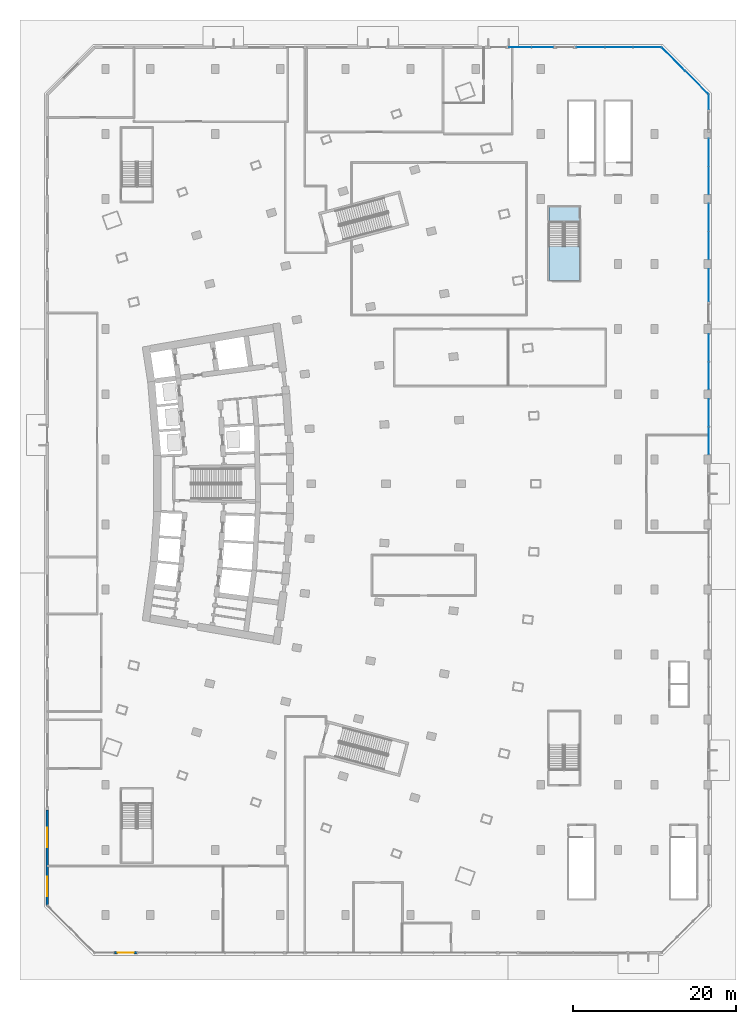
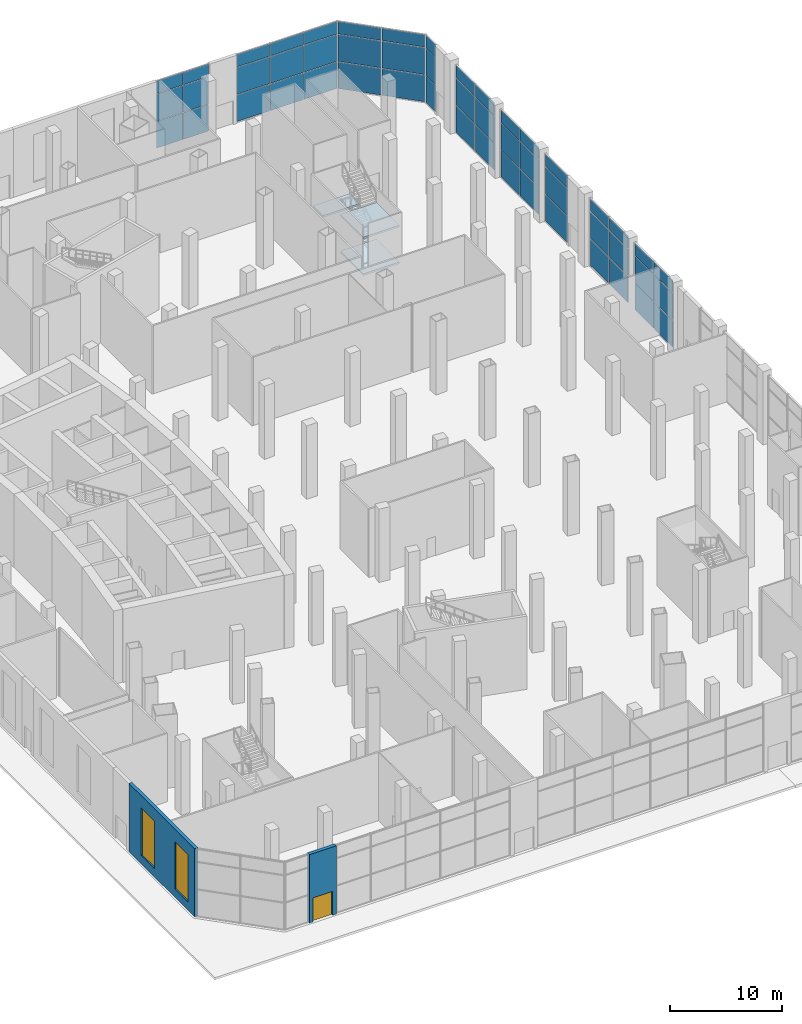
# One storey, part 11 of 33: 51 plates, 3 slabs, 2 walls, 2 windows, 1 door, 3 openings, 10 elements without a shape of their own.
"""IFC4 building model written with IfcOpenShell, lengths in metres."""

from ifc_helpers import new_model, si_unit, direction, frame, frame_2d, origin, origin_2d, place, context, subcontext, project, spatial, polyline, rectangle, outline, extrude, material, layer, layer_set, type_object, element, fill, aggregate, save


model = new_model("IFC4")

# Units and contexts
model_context = context("Model", 3, precision=1e-05, world=origin(), true_north=direction((0.0, 1.0)))
body_context = subcontext(model_context, "Body", "Model", "MODEL_VIEW")
ifc_project = project(units=[si_unit("LENGTHUNIT", "METRE"), si_unit("AREAUNIT", "SQUARE_METRE"), si_unit("VOLUMEUNIT", "CUBIC_METRE"), si_unit("PLANEANGLEUNIT", "RADIAN"), si_unit("MASSUNIT", "GRAM", prefix="KILO")], contexts=[model_context])

# Site, building, storey
site_placement = place(None, origin())
site = spatial("IfcSite", under=ifc_project, at=site_placement, CompositionType="ELEMENT")
building_placement = place(site_placement, origin())
building = spatial("IfcBuilding", under=site, at=building_placement, Name="Alderwake Tower", CompositionType="ELEMENT")
storey_placement = place(building_placement, origin())
storey = spatial("IfcBuildingStorey", under=building, at=storey_placement, Name="L00", CompositionType="ELEMENT", Elevation=0.0)

# Stair, slabs
ifc_material_1 = material(Name="Concrete C40/50", Category="concrete")
stair_type = type_object("IfcStairType", Name="Exit stair 1800 half-turn", PredefinedType="HALF_TURN_STAIR", material=ifc_material_1)
stair_placement = place(storey_placement, origin())
stair = element("IfcStair", 1, at=stair_placement, inside=storey, type_object=stair_type, Name="L00 Podium stair P3", PredefinedType="HALF_TURN_STAIR")
ifc_material_2 = material(Name="Concrete C40/50", Category="concrete")
ifc_layer_1 = layer(ifc_material_2, 0.199951171875)
ifc_layer_set_1 = layer_set([ifc_layer_1], Name="Core stair landing 200")
slab_type = type_object("IfcSlabType", Name="Core stair landing 200", PredefinedType="LANDING", material=ifc_layer_set_1)
slab_1_placement = place(storey_placement, frame((0.0, 0.0, 1.800048828125)))
slab_1 = element("IfcSlab", 2, at=slab_1_placement, type_object=slab_type, Name="ST-P3 landing 1", PredefinedType="LANDING", context=body_context, shape_type="SweptSolid", body=[
    extrude(outline(polyline([(65.0, 90.1298828125), (65.0, 86.0), (68.75, 86.0), (68.75, 90.1298828125), (65.0, 90.1298828125)])), origin(), (0.0, 0.0, 1.0), 0.199951171875),
])
slab_2_placement = place(storey_placement, frame((0.0, 0.0, 3.800048828125)))
slab_2 = element("IfcSlab", 3, at=slab_2_placement, type_object=slab_type, Name="ST-P3 landing 2", PredefinedType="LANDING", context=body_context, shape_type="SweptSolid", body=[
    extrude(outline(polyline([(65.0, 95.0), (65.0, 93.18994140625), (68.75, 93.18994140625), (68.75, 95.0), (65.0, 95.0)])), origin(), (0.0, 0.0, 1.0), 0.199951171875),
])
slab_3_placement = place(storey_placement, frame((0.0, 0.0, 5.800048828125)))
slab_3 = element("IfcSlab", 4, at=slab_3_placement, type_object=slab_type, Name="ST-P3 landing 3", PredefinedType="LANDING", context=body_context, shape_type="SweptSolid", body=[
    extrude(outline(polyline([(65.0, 90.1298828125), (65.0, 86.0), (68.75, 86.0), (68.75, 90.1298828125), (65.0, 90.1298828125)])), origin(), (0.0, 0.0, 1.0), 0.199951171875),
])
aggregate(stair, [slab_1, slab_2, slab_3])

# Curtain wall, plates
ifc_material_3 = material(Name="Bronze tinted glass in aluminium frame", Category="aluminium")
ifc_layer_2 = layer(ifc_material_3, 0.25)
ifc_layer_set_2 = layer_set([ifc_layer_2], Name="Curtain wall CW1 podium shopfront")
curtain_wall_type_1 = type_object("IfcCurtainWallType", Name="Curtain wall CW1 podium shopfront", PredefinedType="NOTDEFINED", material=ifc_layer_set_2)
curtain_wall_1_placement = place(storey_placement, origin())
curtain_wall_1 = element("IfcCurtainWall", 5, at=curtain_wall_1_placement, inside=storey, type_object=curtain_wall_type_1, Name="Curtain wall 15", PredefinedType="NOTDEFINED")
ifc_material_4 = material(Name="Bronze tinted glass in aluminium frame", Category="aluminium")
ifc_layer_3 = layer(ifc_material_4, 0.028076171875)
ifc_layer_set_3 = layer_set([ifc_layer_3], Name="Glass panel GPA 28")
plate_type_1 = type_object("IfcPlateType", Name="Glass panel GPA 28", PredefinedType="CURTAIN_PANEL", material=ifc_layer_set_3)
plate_1_placement = place(storey_placement, frame((84.64990234375, 85.425048828125, 0.06005859375), z_axis=(0.0, 0.0, 1.0), x_axis=(0.0, 1.0, 0.0)))
plate_1 = element("IfcPlate", 6, at=plate_1_placement, type_object=plate_type_1, Name="CW.15 panel 1.1", PredefinedType="CURTAIN_PANEL", context=body_context, shape_type="SweptSolid", body=[
    extrude(rectangle(XDim=3.929931640625, YDim=0.028076171875, at=origin_2d()), origin(), (0.0, 0.0, 1.0), 2.909912109375),
])
plate_2_placement = place(storey_placement, frame((84.64990234375, 85.425048828125, 3.030029296875), z_axis=(0.0, 0.0, 1.0), x_axis=(0.0, 1.0, 0.0)))
plate_2 = element("IfcPlate", 7, at=plate_2_placement, type_object=plate_type_1, Name="CW.15 panel 1.2", PredefinedType="CURTAIN_PANEL", context=body_context, shape_type="SweptSolid", body=[
    extrude(rectangle(XDim=3.929931640625, YDim=0.028076171875, at=origin_2d()), origin(), (0.0, 0.0, 1.0), 2.93994140625),
])
plate_3_placement = place(storey_placement, frame((84.64990234375, 85.425048828125, 6.02978515625), z_axis=(0.0, 0.0, 1.0), x_axis=(0.0, 1.0, 0.0)))
plate_3 = element("IfcPlate", 8, at=plate_3_placement, type_object=plate_type_1, Name="CW.15 panel 1.3", PredefinedType="CURTAIN_PANEL", context=body_context, shape_type="SweptSolid", body=[
    extrude(rectangle(XDim=3.929931640625, YDim=0.028076171875, at=origin_2d()), origin(), (0.0, 0.0, 1.0), 1.360107421875),
])
aggregate(curtain_wall_1, [plate_1, plate_2, plate_3])

curtain_wall_2_placement = place(storey_placement, origin())
curtain_wall_2 = element("IfcCurtainWall", 9, at=curtain_wall_2_placement, inside=storey, type_object=curtain_wall_type_1, Name="Curtain wall 16", PredefinedType="NOTDEFINED")
plate_4_placement = place(storey_placement, frame((84.64990234375, 90.2900390625, 0.06005859375), z_axis=(0.0, 0.0, 1.0), x_axis=(0.0, 1.0, 0.0)))
plate_4 = element("IfcPlate", 10, at=plate_4_placement, type_object=plate_type_1, Name="CW.16 panel 1.1", PredefinedType="CURTAIN_PANEL", context=body_context, shape_type="SweptSolid", body=[
    extrude(rectangle(XDim=3.360107421875, YDim=0.028076171875, at=origin_2d()), origin(), (0.0, 0.0, 1.0), 2.909912109375),
])
plate_5_placement = place(storey_placement, frame((84.64990234375, 90.2900390625, 3.030029296875), z_axis=(0.0, 0.0, 1.0), x_axis=(0.0, 1.0, 0.0)))
plate_5 = element("IfcPlate", 11, at=plate_5_placement, type_object=plate_type_1, Name="CW.16 panel 1.2", PredefinedType="CURTAIN_PANEL", context=body_context, shape_type="SweptSolid", body=[
    extrude(rectangle(XDim=3.360107421875, YDim=0.028076171875, at=origin_2d()), origin(), (0.0, 0.0, 1.0), 2.93994140625),
])
plate_6_placement = place(storey_placement, frame((84.64990234375, 90.2900390625, 6.02978515625), z_axis=(0.0, 0.0, 1.0), x_axis=(0.0, 1.0, 0.0)))
plate_6 = element("IfcPlate", 12, at=plate_6_placement, type_object=plate_type_1, Name="CW.16 panel 1.3", PredefinedType="CURTAIN_PANEL", context=body_context, shape_type="SweptSolid", body=[
    extrude(rectangle(XDim=3.360107421875, YDim=0.028076171875, at=origin_2d()), origin(), (0.0, 0.0, 1.0), 1.360107421875),
])
plate_7_placement = place(storey_placement, frame((84.64990234375, 93.7099609375, 0.06005859375), z_axis=(0.0, 0.0, 1.0), x_axis=(0.0, 1.0, 0.0)))
plate_7 = element("IfcPlate", 13, at=plate_7_placement, type_object=plate_type_1, Name="CW.16 panel 2.1", PredefinedType="CURTAIN_PANEL", context=body_context, shape_type="SweptSolid", body=[
    extrude(rectangle(XDim=3.360107421875, YDim=0.028076171875, at=origin_2d()), origin(), (0.0, 0.0, 1.0), 2.909912109375),
])
plate_8_placement = place(storey_placement, frame((84.64990234375, 93.7099609375, 3.030029296875), z_axis=(0.0, 0.0, 1.0), x_axis=(0.0, 1.0, 0.0)))
plate_8 = element("IfcPlate", 14, at=plate_8_placement, type_object=plate_type_1, Name="CW.16 panel 2.2", PredefinedType="CURTAIN_PANEL", context=body_context, shape_type="SweptSolid", body=[
    extrude(rectangle(XDim=3.360107421875, YDim=0.028076171875, at=origin_2d()), origin(), (0.0, 0.0, 1.0), 2.93994140625),
])
plate_9_placement = place(storey_placement, frame((84.64990234375, 93.7099609375, 6.02978515625), z_axis=(0.0, 0.0, 1.0), x_axis=(0.0, 1.0, 0.0)))
plate_9 = element("IfcPlate", 15, at=plate_9_placement, type_object=plate_type_1, Name="CW.16 panel 2.3", PredefinedType="CURTAIN_PANEL", context=body_context, shape_type="SweptSolid", body=[
    extrude(rectangle(XDim=3.360107421875, YDim=0.028076171875, at=origin_2d()), origin(), (0.0, 0.0, 1.0), 1.360107421875),
])
aggregate(curtain_wall_2, [plate_4, plate_5, plate_6, plate_7, plate_8, plate_9])

curtain_wall_3_placement = place(storey_placement, origin())
curtain_wall_3 = element("IfcCurtainWall", 16, at=curtain_wall_3_placement, inside=storey, type_object=curtain_wall_type_1, Name="Curtain wall 17", PredefinedType="NOTDEFINED")
plate_10_placement = place(storey_placement, frame((84.64990234375, 98.2900390625, 0.06005859375), z_axis=(0.0, 0.0, 1.0), x_axis=(0.0, 1.0, 0.0)))
plate_10 = element("IfcPlate", 17, at=plate_10_placement, type_object=plate_type_1, Name="CW.17 panel 1.1", PredefinedType="CURTAIN_PANEL", context=body_context, shape_type="SweptSolid", body=[
    extrude(rectangle(XDim=3.360107421875, YDim=0.028076171875, at=origin_2d()), origin(), (0.0, 0.0, 1.0), 2.909912109375),
])
plate_11_placement = place(storey_placement, frame((84.64990234375, 98.2900390625, 3.030029296875), z_axis=(0.0, 0.0, 1.0), x_axis=(0.0, 1.0, 0.0)))
plate_11 = element("IfcPlate", 18, at=plate_11_placement, type_object=plate_type_1, Name="CW.17 panel 1.2", PredefinedType="CURTAIN_PANEL", context=body_context, shape_type="SweptSolid", body=[
    extrude(rectangle(XDim=3.360107421875, YDim=0.028076171875, at=origin_2d()), origin(), (0.0, 0.0, 1.0), 2.93994140625),
])
plate_12_placement = place(storey_placement, frame((84.64990234375, 98.2900390625, 6.02978515625), z_axis=(0.0, 0.0, 1.0), x_axis=(0.0, 1.0, 0.0)))
plate_12 = element("IfcPlate", 19, at=plate_12_placement, type_object=plate_type_1, Name="CW.17 panel 1.3", PredefinedType="CURTAIN_PANEL", context=body_context, shape_type="SweptSolid", body=[
    extrude(rectangle(XDim=3.360107421875, YDim=0.028076171875, at=origin_2d()), origin(), (0.0, 0.0, 1.0), 1.360107421875),
])
plate_13_placement = place(storey_placement, frame((84.64990234375, 101.7099609375, 0.06005859375), z_axis=(0.0, 0.0, 1.0), x_axis=(0.0, 1.0, 0.0)))
plate_13 = element("IfcPlate", 20, at=plate_13_placement, type_object=plate_type_1, Name="CW.17 panel 2.1", PredefinedType="CURTAIN_PANEL", context=body_context, shape_type="SweptSolid", body=[
    extrude(rectangle(XDim=3.360107421875, YDim=0.028076171875, at=origin_2d()), origin(), (0.0, 0.0, 1.0), 2.909912109375),
])
plate_14_placement = place(storey_placement, frame((84.64990234375, 101.7099609375, 3.030029296875), z_axis=(0.0, 0.0, 1.0), x_axis=(0.0, 1.0, 0.0)))
plate_14 = element("IfcPlate", 21, at=plate_14_placement, type_object=plate_type_1, Name="CW.17 panel 2.2", PredefinedType="CURTAIN_PANEL", context=body_context, shape_type="SweptSolid", body=[
    extrude(rectangle(XDim=3.360107421875, YDim=0.028076171875, at=origin_2d()), origin(), (0.0, 0.0, 1.0), 2.93994140625),
])
plate_15_placement = place(storey_placement, frame((84.64990234375, 101.7099609375, 6.02978515625), z_axis=(0.0, 0.0, 1.0), x_axis=(0.0, 1.0, 0.0)))
plate_15 = element("IfcPlate", 22, at=plate_15_placement, type_object=plate_type_1, Name="CW.17 panel 2.3", PredefinedType="CURTAIN_PANEL", context=body_context, shape_type="SweptSolid", body=[
    extrude(rectangle(XDim=3.360107421875, YDim=0.028076171875, at=origin_2d()), origin(), (0.0, 0.0, 1.0), 1.360107421875),
])
aggregate(curtain_wall_3, [plate_10, plate_11, plate_12, plate_13, plate_14, plate_15])

curtain_wall_4_placement = place(storey_placement, origin())
curtain_wall_4 = element("IfcCurtainWall", 23, at=curtain_wall_4_placement, inside=storey, type_object=curtain_wall_type_1, Name="Curtain wall 18", PredefinedType="NOTDEFINED")
plate_16_placement = place(storey_placement, frame((84.64990234375, 107.93505859375, 0.06005859375), z_axis=(0.0, 0.0, 1.0), x_axis=(0.0, 1.0, 0.0)))
plate_16 = element("IfcPlate", 24, at=plate_16_placement, type_object=plate_type_1, Name="CW.18 panel 1.1", PredefinedType="CURTAIN_PANEL", context=body_context, shape_type="SweptSolid", body=[
    extrude(rectangle(XDim=1.75, YDim=0.028076171875, at=origin_2d()), origin(), (0.0, 0.0, 1.0), 2.909912109375),
])
plate_17_placement = place(storey_placement, frame((84.64990234375, 107.93505859375, 3.030029296875), z_axis=(0.0, 0.0, 1.0), x_axis=(0.0, 1.0, 0.0)))
plate_17 = element("IfcPlate", 25, at=plate_17_placement, type_object=plate_type_1, Name="CW.18 panel 1.2", PredefinedType="CURTAIN_PANEL", context=body_context, shape_type="SweptSolid", body=[
    extrude(rectangle(XDim=1.75, YDim=0.028076171875, at=origin_2d()), origin(), (0.0, 0.0, 1.0), 2.93994140625),
])
plate_18_placement = place(storey_placement, frame((84.64990234375, 107.93505859375, 6.02978515625), z_axis=(0.0, 0.0, 1.0), x_axis=(0.0, 1.0, 0.0)))
plate_18 = element("IfcPlate", 26, at=plate_18_placement, type_object=plate_type_1, Name="CW.18 panel 1.3", PredefinedType="CURTAIN_PANEL", context=body_context, shape_type="SweptSolid", body=[
    extrude(rectangle(XDim=1.75, YDim=0.028076171875, at=origin_2d()), origin(), (0.0, 0.0, 1.0), 1.360107421875),
])
aggregate(curtain_wall_4, [plate_16, plate_17, plate_18])

curtain_wall_5_placement = place(storey_placement, origin())
curtain_wall_5 = element("IfcCurtainWall", 27, at=curtain_wall_5_placement, inside=storey, type_object=curtain_wall_type_1, Name="Curtain wall 19", PredefinedType="NOTDEFINED")
plate_19_placement = place(storey_placement, frame((83.18798828125, 110.31689453125, 0.06005859375), z_axis=(0.0, 0.0, 1.0), x_axis=(-0.707106781187, 0.707106781187, 0.0)))
plate_19 = element("IfcPlate", 28, at=plate_19_placement, type_object=plate_type_1, Name="CW.19 panel 1.1", PredefinedType="CURTAIN_PANEL", context=body_context, shape_type="SweptSolid", body=[
    extrude(rectangle(XDim=4.01513671875, YDim=0.028076171875, at=origin_2d()), origin(), (0.0, 0.0, 1.0), 2.909912109375),
])
plate_20_placement = place(storey_placement, frame((83.18798828125, 110.31689453125, 3.030029296875), z_axis=(0.0, 0.0, 1.0), x_axis=(-0.707106781187, 0.707106781187, 0.0)))
plate_20 = element("IfcPlate", 29, at=plate_20_placement, type_object=plate_type_1, Name="CW.19 panel 1.2", PredefinedType="CURTAIN_PANEL", context=body_context, shape_type="SweptSolid", body=[
    extrude(rectangle(XDim=4.01513671875, YDim=0.028076171875, at=origin_2d()), origin(), (0.0, 0.0, 1.0), 2.93994140625),
])
plate_21_placement = place(storey_placement, frame((83.18798828125, 110.31689453125, 6.02978515625), z_axis=(0.0, 0.0, 1.0), x_axis=(-0.707106781187, 0.707106781187, 0.0)))
plate_21 = element("IfcPlate", 30, at=plate_21_placement, type_object=plate_type_1, Name="CW.19 panel 1.3", PredefinedType="CURTAIN_PANEL", context=body_context, shape_type="SweptSolid", body=[
    extrude(rectangle(XDim=4.01513671875, YDim=0.028076171875, at=origin_2d()), origin(), (0.0, 0.0, 1.0), 1.360107421875),
])
plate_22_placement = place(storey_placement, frame((80.306396484375, 113.198486328125, 0.06005859375), z_axis=(0.0, 0.0, 1.0), x_axis=(-0.707106781187, 0.707106781187, 0.0)))
plate_22 = element("IfcPlate", 31, at=plate_22_placement, type_object=plate_type_1, Name="CW.19 panel 2.1", PredefinedType="CURTAIN_PANEL", context=body_context, shape_type="SweptSolid", body=[
    extrude(rectangle(XDim=4.01513671875, YDim=0.028076171875, at=origin_2d()), origin(), (0.0, 0.0, 1.0), 2.909912109375),
])
plate_23_placement = place(storey_placement, frame((80.306396484375, 113.198486328125, 3.030029296875), z_axis=(0.0, 0.0, 1.0), x_axis=(-0.707106781187, 0.707106781187, 0.0)))
plate_23 = element("IfcPlate", 32, at=plate_23_placement, type_object=plate_type_1, Name="CW.19 panel 2.2", PredefinedType="CURTAIN_PANEL", context=body_context, shape_type="SweptSolid", body=[
    extrude(rectangle(XDim=4.01513671875, YDim=0.028076171875, at=origin_2d()), origin(), (0.0, 0.0, 1.0), 2.93994140625),
])
plate_24_placement = place(storey_placement, frame((80.306396484375, 113.198486328125, 6.02978515625), z_axis=(0.0, 0.0, 1.0), x_axis=(-0.707106781187, 0.707106781187, 0.0)))
plate_24 = element("IfcPlate", 33, at=plate_24_placement, type_object=plate_type_1, Name="CW.19 panel 2.3", PredefinedType="CURTAIN_PANEL", context=body_context, shape_type="SweptSolid", body=[
    extrude(rectangle(XDim=4.01513671875, YDim=0.028076171875, at=origin_2d()), origin(), (0.0, 0.0, 1.0), 1.360107421875),
])
aggregate(curtain_wall_5, [plate_19, plate_20, plate_21, plate_22, plate_23, plate_24])

curtain_wall_6_placement = place(storey_placement, origin())
curtain_wall_6 = element("IfcCurtainWall", 34, at=curtain_wall_6_placement, inside=storey, type_object=curtain_wall_type_1, Name="Curtain wall 20", PredefinedType="NOTDEFINED")
plate_25_placement = place(storey_placement, frame((77.097412109375, 114.64990234375, 0.06005859375), z_axis=(0.0, 0.0, 1.0), x_axis=(-1.0, 0.0, 0.0)))
plate_25 = element("IfcPlate", 35, at=plate_25_placement, type_object=plate_type_1, Name="CW.20 panel 1.1", PredefinedType="CURTAIN_PANEL", context=body_context, shape_type="SweptSolid", body=[
    extrude(rectangle(XDim=3.39501953125, YDim=0.028076171875, at=origin_2d()), origin(), (0.0, 0.0, 1.0), 2.909912109375),
])
plate_26_placement = place(storey_placement, frame((77.097412109375, 114.64990234375, 3.030029296875), z_axis=(0.0, 0.0, 1.0), x_axis=(-1.0, 0.0, 0.0)))
plate_26 = element("IfcPlate", 36, at=plate_26_placement, type_object=plate_type_1, Name="CW.20 panel 1.2", PredefinedType="CURTAIN_PANEL", context=body_context, shape_type="SweptSolid", body=[
    extrude(rectangle(XDim=3.39501953125, YDim=0.028076171875, at=origin_2d()), origin(), (0.0, 0.0, 1.0), 2.93994140625),
])
plate_27_placement = place(storey_placement, frame((77.097412109375, 114.64990234375, 6.02978515625), z_axis=(0.0, 0.0, 1.0), x_axis=(-1.0, 0.0, 0.0)))
plate_27 = element("IfcPlate", 37, at=plate_27_placement, type_object=plate_type_1, Name="CW.20 panel 1.3", PredefinedType="CURTAIN_PANEL", context=body_context, shape_type="SweptSolid", body=[
    extrude(rectangle(XDim=3.39501953125, YDim=0.028076171875, at=origin_2d()), origin(), (0.0, 0.0, 1.0), 1.360107421875),
])
plate_28_placement = place(storey_placement, frame((73.62744140625, 114.64990234375, 0.06005859375), z_axis=(0.0, 0.0, 1.0), x_axis=(-1.0, 0.0, 0.0)))
plate_28 = element("IfcPlate", 38, at=plate_28_placement, type_object=plate_type_1, Name="CW.20 panel 2.1", PredefinedType="CURTAIN_PANEL", context=body_context, shape_type="SweptSolid", body=[
    extrude(rectangle(XDim=3.425048828125, YDim=0.028076171875, at=origin_2d()), origin(), (0.0, 0.0, 1.0), 2.909912109375),
])
plate_29_placement = place(storey_placement, frame((73.62744140625, 114.64990234375, 3.030029296875), z_axis=(0.0, 0.0, 1.0), x_axis=(-1.0, 0.0, 0.0)))
plate_29 = element("IfcPlate", 39, at=plate_29_placement, type_object=plate_type_1, Name="CW.20 panel 2.2", PredefinedType="CURTAIN_PANEL", context=body_context, shape_type="SweptSolid", body=[
    extrude(rectangle(XDim=3.425048828125, YDim=0.028076171875, at=origin_2d()), origin(), (0.0, 0.0, 1.0), 2.93994140625),
])
plate_30_placement = place(storey_placement, frame((73.62744140625, 114.64990234375, 6.02978515625), z_axis=(0.0, 0.0, 1.0), x_axis=(-1.0, 0.0, 0.0)))
plate_30 = element("IfcPlate", 40, at=plate_30_placement, type_object=plate_type_1, Name="CW.20 panel 2.3", PredefinedType="CURTAIN_PANEL", context=body_context, shape_type="SweptSolid", body=[
    extrude(rectangle(XDim=3.425048828125, YDim=0.028076171875, at=origin_2d()), origin(), (0.0, 0.0, 1.0), 1.360107421875),
])
plate_31_placement = place(storey_placement, frame((70.157470703125, 114.64990234375, 0.06005859375), z_axis=(0.0, 0.0, 1.0), x_axis=(-1.0, 0.0, 0.0)))
plate_31 = element("IfcPlate", 41, at=plate_31_placement, type_object=plate_type_1, Name="CW.20 panel 3.1", PredefinedType="CURTAIN_PANEL", context=body_context, shape_type="SweptSolid", body=[
    extrude(rectangle(XDim=3.39501953125, YDim=0.028076171875, at=origin_2d()), origin(), (0.0, 0.0, 1.0), 2.909912109375),
])
plate_32_placement = place(storey_placement, frame((70.157470703125, 114.64990234375, 3.030029296875), z_axis=(0.0, 0.0, 1.0), x_axis=(-1.0, 0.0, 0.0)))
plate_32 = element("IfcPlate", 42, at=plate_32_placement, type_object=plate_type_1, Name="CW.20 panel 3.2", PredefinedType="CURTAIN_PANEL", context=body_context, shape_type="SweptSolid", body=[
    extrude(rectangle(XDim=3.39501953125, YDim=0.028076171875, at=origin_2d()), origin(), (0.0, 0.0, 1.0), 2.93994140625),
])
plate_33_placement = place(storey_placement, frame((70.157470703125, 114.64990234375, 6.02978515625), z_axis=(0.0, 0.0, 1.0), x_axis=(-1.0, 0.0, 0.0)))
plate_33 = element("IfcPlate", 43, at=plate_33_placement, type_object=plate_type_1, Name="CW.20 panel 3.3", PredefinedType="CURTAIN_PANEL", context=body_context, shape_type="SweptSolid", body=[
    extrude(rectangle(XDim=3.39501953125, YDim=0.028076171875, at=origin_2d()), origin(), (0.0, 0.0, 1.0), 1.360107421875),
])
aggregate(curtain_wall_6, [plate_25, plate_26, plate_27, plate_28, plate_29, plate_30, plate_31, plate_32, plate_33])

curtain_wall_7_placement = place(storey_placement, origin())
curtain_wall_7 = element("IfcCurtainWall", 44, at=curtain_wall_7_placement, inside=storey, type_object=curtain_wall_type_1, Name="Curtain wall 21", PredefinedType="NOTDEFINED")
plate_34_placement = place(storey_placement, frame((64.2099609375, 114.64990234375, 0.06005859375), z_axis=(0.0, 0.0, 1.0), x_axis=(-1.0, 0.0, 0.0)))
plate_34 = element("IfcPlate", 45, at=plate_34_placement, type_object=plate_type_1, Name="CW.21 panel 1.1", PredefinedType="CURTAIN_PANEL", context=body_context, shape_type="SweptSolid", body=[
    extrude(rectangle(XDim=2.659912109375, YDim=0.028076171875, at=origin_2d()), origin(), (0.0, 0.0, 1.0), 2.909912109375),
])
plate_35_placement = place(storey_placement, frame((64.2099609375, 114.64990234375, 3.030029296875), z_axis=(0.0, 0.0, 1.0), x_axis=(-1.0, 0.0, 0.0)))
plate_35 = element("IfcPlate", 46, at=plate_35_placement, type_object=plate_type_1, Name="CW.21 panel 1.2", PredefinedType="CURTAIN_PANEL", context=body_context, shape_type="SweptSolid", body=[
    extrude(rectangle(XDim=2.659912109375, YDim=0.028076171875, at=origin_2d()), origin(), (0.0, 0.0, 1.0), 2.93994140625),
])
plate_36_placement = place(storey_placement, frame((64.2099609375, 114.64990234375, 6.02978515625), z_axis=(0.0, 0.0, 1.0), x_axis=(-1.0, 0.0, 0.0)))
plate_36 = element("IfcPlate", 47, at=plate_36_placement, type_object=plate_type_1, Name="CW.21 panel 1.3", PredefinedType="CURTAIN_PANEL", context=body_context, shape_type="SweptSolid", body=[
    extrude(rectangle(XDim=2.659912109375, YDim=0.028076171875, at=origin_2d()), origin(), (0.0, 0.0, 1.0), 1.360107421875),
])
plate_37_placement = place(storey_placement, frame((61.489990234375, 114.64990234375, 0.06005859375), z_axis=(0.0, 0.0, 1.0), x_axis=(-1.0, 0.0, 0.0)))
plate_37 = element("IfcPlate", 48, at=plate_37_placement, type_object=plate_type_1, Name="CW.21 panel 2.1", PredefinedType="CURTAIN_PANEL", context=body_context, shape_type="SweptSolid", body=[
    extrude(rectangle(XDim=2.659912109375, YDim=0.028076171875, at=origin_2d()), origin(), (0.0, 0.0, 1.0), 2.909912109375),
])
plate_38_placement = place(storey_placement, frame((61.489990234375, 114.64990234375, 3.030029296875), z_axis=(0.0, 0.0, 1.0), x_axis=(-1.0, 0.0, 0.0)))
plate_38 = element("IfcPlate", 49, at=plate_38_placement, type_object=plate_type_1, Name="CW.21 panel 2.2", PredefinedType="CURTAIN_PANEL", context=body_context, shape_type="SweptSolid", body=[
    extrude(rectangle(XDim=2.659912109375, YDim=0.028076171875, at=origin_2d()), origin(), (0.0, 0.0, 1.0), 2.93994140625),
])
plate_39_placement = place(storey_placement, frame((61.489990234375, 114.64990234375, 6.02978515625), z_axis=(0.0, 0.0, 1.0), x_axis=(-1.0, 0.0, 0.0)))
plate_39 = element("IfcPlate", 50, at=plate_39_placement, type_object=plate_type_1, Name="CW.21 panel 2.3", PredefinedType="CURTAIN_PANEL", context=body_context, shape_type="SweptSolid", body=[
    extrude(rectangle(XDim=2.659912109375, YDim=0.028076171875, at=origin_2d()), origin(), (0.0, 0.0, 1.0), 1.360107421875),
])
aggregate(curtain_wall_7, [plate_34, plate_35, plate_36, plate_37, plate_38, plate_39])

ifc_material_5 = material(Name="Bronze tinted glass in aluminium frame", Category="aluminium")
ifc_layer_4 = layer(ifc_material_5, 0.300048828125)
ifc_layer_set_4 = layer_set([ifc_layer_4], Name="Curtain wall CW2 station concourse wall")
curtain_wall_type_2 = type_object("IfcCurtainWallType", Name="Curtain wall CW2 station concourse wall", PredefinedType="NOTDEFINED", material=ifc_layer_set_4)
curtain_wall_8_placement = place(storey_placement, origin())
curtain_wall_8 = element("IfcCurtainWall", 51, at=curtain_wall_8_placement, inside=storey, type_object=curtain_wall_type_2, Name="Curtain wall 13", PredefinedType="NOTDEFINED")
ifc_material_6 = material(Name="Bronze tinted glass in aluminium frame", Category="aluminium")
ifc_layer_5 = layer(ifc_material_6, 0.031982421875)
ifc_layer_set_5 = layer_set([ifc_layer_5], Name="Glass panel GPB 32")
plate_type_2 = type_object("IfcPlateType", Name="Glass panel GPB 32", PredefinedType="CURTAIN_PANEL", material=ifc_layer_set_5)
plate_40_placement = place(storey_placement, frame((84.64990234375, 66.294921875, 0.080078125), z_axis=(0.0, 0.0, 1.0), x_axis=(0.0, 1.0, 0.0)))
plate_40 = element("IfcPlate", 52, at=plate_40_placement, type_object=plate_type_2, Name="CW.13 panel 1.1", PredefinedType="CURTAIN_PANEL", context=body_context, shape_type="SweptSolid", body=[
    extrude(rectangle(XDim=3.330078125, YDim=0.031982421875, at=origin_2d()), origin(), (0.0, 0.0, 1.0), 2.8798828125),
])
plate_41_placement = place(storey_placement, frame((84.64990234375, 66.294921875, 3.0400390625), z_axis=(0.0, 0.0, 1.0), x_axis=(0.0, 1.0, 0.0)))
plate_41 = element("IfcPlate", 53, at=plate_41_placement, type_object=plate_type_2, Name="CW.13 panel 1.2", PredefinedType="CURTAIN_PANEL", context=body_context, shape_type="SweptSolid", body=[
    extrude(rectangle(XDim=3.330078125, YDim=0.031982421875, at=origin_2d()), origin(), (0.0, 0.0, 1.0), 2.919921875),
])
plate_42_placement = place(storey_placement, frame((84.64990234375, 66.294921875, 6.0400390625), z_axis=(0.0, 0.0, 1.0), x_axis=(0.0, 1.0, 0.0)))
plate_42 = element("IfcPlate", 54, at=plate_42_placement, type_object=plate_type_2, Name="CW.13 panel 1.3", PredefinedType="CURTAIN_PANEL", context=body_context, shape_type="SweptSolid", body=[
    extrude(rectangle(XDim=3.330078125, YDim=0.031982421875, at=origin_2d()), origin(), (0.0, 0.0, 1.0), 1.330078125),
])
plate_43_placement = place(storey_placement, frame((84.64990234375, 69.705078125, 0.080078125), z_axis=(0.0, 0.0, 1.0), x_axis=(0.0, 1.0, 0.0)))
plate_43 = element("IfcPlate", 55, at=plate_43_placement, type_object=plate_type_2, Name="CW.13 panel 2.1", PredefinedType="CURTAIN_PANEL", context=body_context, shape_type="SweptSolid", body=[
    extrude(rectangle(XDim=3.330078125, YDim=0.031982421875, at=origin_2d()), origin(), (0.0, 0.0, 1.0), 2.8798828125),
])
plate_44_placement = place(storey_placement, frame((84.64990234375, 69.705078125, 3.0400390625), z_axis=(0.0, 0.0, 1.0), x_axis=(0.0, 1.0, 0.0)))
plate_44 = element("IfcPlate", 56, at=plate_44_placement, type_object=plate_type_2, Name="CW.13 panel 2.2", PredefinedType="CURTAIN_PANEL", context=body_context, shape_type="SweptSolid", body=[
    extrude(rectangle(XDim=3.330078125, YDim=0.031982421875, at=origin_2d()), origin(), (0.0, 0.0, 1.0), 2.919921875),
])
plate_45_placement = place(storey_placement, frame((84.64990234375, 69.705078125, 6.0400390625), z_axis=(0.0, 0.0, 1.0), x_axis=(0.0, 1.0, 0.0)))
plate_45 = element("IfcPlate", 57, at=plate_45_placement, type_object=plate_type_2, Name="CW.13 panel 2.3", PredefinedType="CURTAIN_PANEL", context=body_context, shape_type="SweptSolid", body=[
    extrude(rectangle(XDim=3.330078125, YDim=0.031982421875, at=origin_2d()), origin(), (0.0, 0.0, 1.0), 1.330078125),
])
aggregate(curtain_wall_8, [plate_40, plate_41, plate_42, plate_43, plate_44, plate_45])

curtain_wall_9_placement = place(storey_placement, origin())
curtain_wall_9 = element("IfcCurtainWall", 58, at=curtain_wall_9_placement, inside=storey, type_object=curtain_wall_type_2, Name="Curtain wall 14", PredefinedType="NOTDEFINED")
plate_46_placement = place(storey_placement, frame((84.64990234375, 74.294921875, 0.080078125), z_axis=(0.0, 0.0, 1.0), x_axis=(0.0, 1.0, 0.0)))
plate_46 = element("IfcPlate", 59, at=plate_46_placement, type_object=plate_type_2, Name="CW.14 panel 1.1", PredefinedType="CURTAIN_PANEL", context=body_context, shape_type="SweptSolid", body=[
    extrude(rectangle(XDim=3.330078125, YDim=0.031982421875, at=origin_2d()), origin(), (0.0, 0.0, 1.0), 2.8798828125),
])
plate_47_placement = place(storey_placement, frame((84.64990234375, 74.294921875, 3.0400390625), z_axis=(0.0, 0.0, 1.0), x_axis=(0.0, 1.0, 0.0)))
plate_47 = element("IfcPlate", 60, at=plate_47_placement, type_object=plate_type_2, Name="CW.14 panel 1.2", PredefinedType="CURTAIN_PANEL", context=body_context, shape_type="SweptSolid", body=[
    extrude(rectangle(XDim=3.330078125, YDim=0.031982421875, at=origin_2d()), origin(), (0.0, 0.0, 1.0), 2.919921875),
])
plate_48_placement = place(storey_placement, frame((84.64990234375, 74.294921875, 6.0400390625), z_axis=(0.0, 0.0, 1.0), x_axis=(0.0, 1.0, 0.0)))
plate_48 = element("IfcPlate", 61, at=plate_48_placement, type_object=plate_type_2, Name="CW.14 panel 1.3", PredefinedType="CURTAIN_PANEL", context=body_context, shape_type="SweptSolid", body=[
    extrude(rectangle(XDim=3.330078125, YDim=0.031982421875, at=origin_2d()), origin(), (0.0, 0.0, 1.0), 1.330078125),
])
plate_49_placement = place(storey_placement, frame((84.64990234375, 77.705078125, 0.080078125), z_axis=(0.0, 0.0, 1.0), x_axis=(0.0, 1.0, 0.0)))
plate_49 = element("IfcPlate", 62, at=plate_49_placement, type_object=plate_type_2, Name="CW.14 panel 2.1", PredefinedType="CURTAIN_PANEL", context=body_context, shape_type="SweptSolid", body=[
    extrude(rectangle(XDim=3.330078125, YDim=0.031982421875, at=origin_2d()), origin(), (0.0, 0.0, 1.0), 2.8798828125),
])
plate_50_placement = place(storey_placement, frame((84.64990234375, 77.705078125, 3.0400390625), z_axis=(0.0, 0.0, 1.0), x_axis=(0.0, 1.0, 0.0)))
plate_50 = element("IfcPlate", 63, at=plate_50_placement, type_object=plate_type_2, Name="CW.14 panel 2.2", PredefinedType="CURTAIN_PANEL", context=body_context, shape_type="SweptSolid", body=[
    extrude(rectangle(XDim=3.330078125, YDim=0.031982421875, at=origin_2d()), origin(), (0.0, 0.0, 1.0), 2.919921875),
])
plate_51_placement = place(storey_placement, frame((84.64990234375, 77.705078125, 6.0400390625), z_axis=(0.0, 0.0, 1.0), x_axis=(0.0, 1.0, 0.0)))
plate_51 = element("IfcPlate", 64, at=plate_51_placement, type_object=plate_type_2, Name="CW.14 panel 2.3", PredefinedType="CURTAIN_PANEL", context=body_context, shape_type="SweptSolid", body=[
    extrude(rectangle(XDim=3.330078125, YDim=0.031982421875, at=origin_2d()), origin(), (0.0, 0.0, 1.0), 1.330078125),
])
aggregate(curtain_wall_9, [plate_46, plate_47, plate_48, plate_49, plate_50, plate_51])

# Wall, opening, door
ifc_material_7 = material(Name="Precast concrete C50/60 spandrel panel", Category="concrete")
ifc_layer_6 = layer(ifc_material_7, 0.35009765625)
ifc_layer_set_6 = layer_set([ifc_layer_6], Name="External wall EW4 Precast concrete C50/60 podium")
wall_type = type_object("IfcWallType", Name="External wall EW4 Precast concrete C50/60 podium", PredefinedType="SOLIDWALL", material=ifc_layer_set_6)
wall_1_placement = place(storey_placement, frame((11.60009765625, 3.35009765625, 0.0), z_axis=(0.0, 0.0, 1.0), x_axis=(1.0, 0.0, 0.0)))
wall_1 = element("IfcWall", 65, at=wall_1_placement, inside=storey, type_object=wall_type, Name="External wall 1", PredefinedType="SOLIDWALL", context=body_context, shape_type="SweptSolid", body=[
    extrude(rectangle(XDim=2.7998046875, YDim=0.35009765625, at=frame_2d((1.39990234375, 0.0))), origin(), (0.0, 0.0, 1.0), 7.449951171875),
])
opening_1_placement = place(wall_1_placement, frame((0.39990234375, 0.0, 0.0)))
opening_1 = element("IfcOpeningElement", 66, at=opening_1_placement, cuts=wall_1, Name="Opening D01", PredefinedType="OPENING", context=body_context, shape_type="SweptSolid", body=[
    extrude(rectangle(XDim=2.0, YDim=2.60009765625, at=frame_2d((1.0, 1.300048828125))), frame((0.0, 0.18505859375, 0.0), z_axis=(0.0, -1.0, 0.0), x_axis=(1.0, 0.0, 0.0)), (0.0, 0.0, 1.0), 0.3701171875),
])
ifc_material_8 = material(Name="Bronze tinted glass in aluminium frame", Category="aluminium")
door_type = type_object("IfcDoorType", Name="Entrance door ED double 2000", OperationType="DOUBLE_DOOR_DOUBLE_SWING", PredefinedType="DOOR", material=ifc_material_8)
door_placement = place(opening_1_placement, origin())
door = element("IfcDoor", 67, at=door_placement, inside=storey, type_object=door_type, Name="Door D01", OperationType="DOUBLE_DOOR_DOUBLE_SWING", OverallHeight=2.60009765625, OverallWidth=2.0, PredefinedType="DOOR", context=body_context, shape_type="SweptSolid", body=[
    extrude(rectangle(XDim=2.0, YDim=2.60009765625, at=frame_2d((1.0, 1.300048828125))), frame((0.0, 0.02490234375, 0.0), z_axis=(0.0, -1.0, 0.0), x_axis=(1.0, 0.0, 0.0)), (0.0, 0.0, 1.0), 0.050048828125),
])
fill(opening_1, door)

# Wall, openings, windows
wall_2_placement = place(storey_placement, frame((3.35009765625, 20.89990234375, 0.0), z_axis=(0.0, 0.0, 1.0), x_axis=(0.0, -1.0, 0.0)))
wall_2 = element("IfcWall", 68, at=wall_2_placement, inside=storey, type_object=wall_type, Name="External wall 32", PredefinedType="SOLIDWALL", context=body_context, shape_type="SweptSolid", body=[
    extrude(rectangle(XDim=11.77001953125, YDim=0.35009765625, at=frame_2d((5.885009765625, 0.0))), origin(), (0.0, 0.0, 1.0), 7.449951171875),
])
opening_2_placement = place(wall_2_placement, frame((2.159423828125, 0.0, 0.89990234375)))
opening_2 = element("IfcOpeningElement", 69, at=opening_2_placement, cuts=wall_2, Name="Opening W7", PredefinedType="OPENING", context=body_context, shape_type="SweptSolid", body=[
    extrude(rectangle(XDim=2.39990234375, YDim=5.199951171875, at=frame_2d((1.199951171875, 2.60009765625))), frame((0.0, 0.18505859375, 0.0), z_axis=(0.0, -1.0, 0.0), x_axis=(1.0, 0.0, 0.0)), (0.0, 0.0, 1.0), 0.3701171875),
])
opening_3_placement = place(wall_2_placement, frame((8.224609375, 0.0, 0.89990234375)))
opening_3 = element("IfcOpeningElement", 70, at=opening_3_placement, cuts=wall_2, Name="Opening W7", PredefinedType="OPENING", context=body_context, shape_type="SweptSolid", body=[
    extrude(rectangle(XDim=2.39990234375, YDim=5.199951171875, at=frame_2d((1.199951171875, 2.60009765625))), frame((0.0, 0.18505859375, 0.0), z_axis=(0.0, -1.0, 0.0), x_axis=(1.0, 0.0, 0.0)), (0.0, 0.0, 1.0), 0.3701171875),
])
ifc_material_9 = material(Name="Bronze tinted glass in aluminium frame", Category="aluminium")
window_type = type_object("IfcWindowType", Name="Window W7 podium ground floor tall", PartitioningType="DOUBLE_PANEL_VERTICAL", PredefinedType="WINDOW", material=ifc_material_9)
window_1_placement = place(opening_2_placement, origin())
window_1 = element("IfcWindow", 71, at=window_1_placement, inside=storey, type_object=window_type, Name="Window W7 podium ground floor tall", OverallHeight=5.199951171875, OverallWidth=2.39990234375, PartitioningType="DOUBLE_PANEL_VERTICAL", PredefinedType="WINDOW", context=body_context, shape_type="SweptSolid", body=[
    extrude(rectangle(XDim=2.39990234375, YDim=5.199951171875, at=frame_2d((1.199951171875, 2.60009765625))), frame((0.0, 0.030029296875, 0.0), z_axis=(0.0, -1.0, 0.0), x_axis=(1.0, 0.0, 0.0)), (0.0, 0.0, 1.0), 0.06005859375),
])
fill(opening_2, window_1)
window_2_placement = place(opening_3_placement, origin())
window_2 = element("IfcWindow", 72, at=window_2_placement, inside=storey, type_object=window_type, Name="Window W7 podium ground floor tall", OverallHeight=5.199951171875, OverallWidth=2.39990234375, PartitioningType="DOUBLE_PANEL_VERTICAL", PredefinedType="WINDOW", context=body_context, shape_type="SweptSolid", body=[
    extrude(rectangle(XDim=2.39990234375, YDim=5.199951171875, at=frame_2d((1.199951171875, 2.60009765625))), frame((0.0, 0.030029296875, 0.0), z_axis=(0.0, -1.0, 0.0), x_axis=(1.0, 0.0, 0.0)), (0.0, 0.0, 1.0), 0.06005859375),
])
fill(opening_3, window_2)

save(model, "model.ifc")
